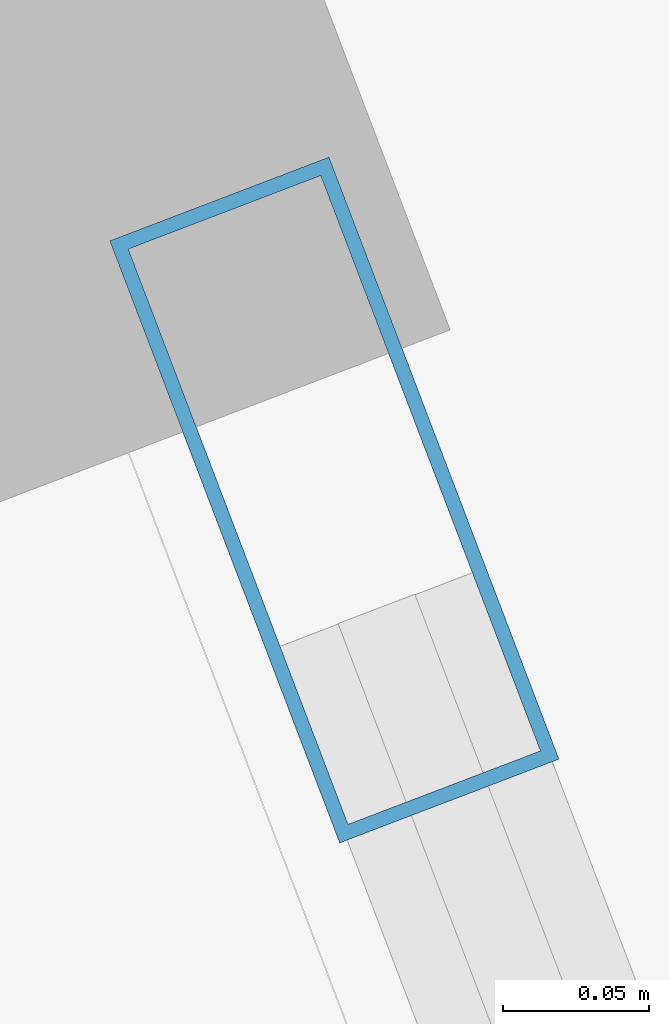
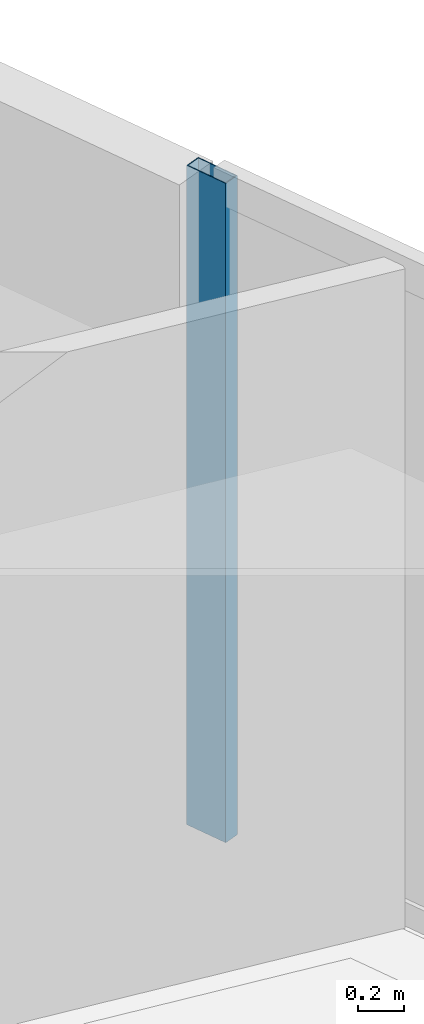
# One storey, part 13 of 23: 1 member, 1 element without a shape of its own.
"""IFC4 building model written with IfcOpenShell, lengths in metres."""

from ifc_helpers import new_model, si_unit, direction, frame, origin, origin_2d, place, context, subcontext, project, spatial, hollow_rectangle, extrude, source, transform, mapped, material, layer, layer_set, material_profile, profile_set, type_object, type_shapes, element, aggregate, save


model = new_model("IFC4")

# Units and contexts
model_context = context("Model", 3, precision=1e-05, world=origin(), true_north=direction((0.0, 1.0)))
body_context = subcontext(model_context, "Body", "Model", "MODEL_VIEW")
ifc_project = project(units=[si_unit("LENGTHUNIT", "METRE"), si_unit("AREAUNIT", "SQUARE_METRE"), si_unit("VOLUMEUNIT", "CUBIC_METRE"), si_unit("PLANEANGLEUNIT", "RADIAN"), si_unit("MASSUNIT", "GRAM", prefix="KILO")], contexts=[model_context])

# Site, building, storey
site_placement = place(None, origin())
site = spatial("IfcSite", under=ifc_project, at=site_placement, CompositionType="ELEMENT")
building_placement = place(site_placement, origin())
building = spatial("IfcBuilding", under=site, at=building_placement, Name="Talar Marvaseh", CompositionType="ELEMENT")
storey_placement = place(building_placement, frame((0.0, 0.0, 27.800048828125)))
storey = spatial("IfcBuildingStorey", under=building, at=storey_placement, Name="L06", CompositionType="ELEMENT", Elevation=27.800048828125)

# Curtain wall, member
ifc_material = material(Name="Architectural Aluminium", Category="aluminium")
ifc_layer = layer(ifc_material, 0.219970703125)
ifc_layer_set = layer_set([ifc_layer], Name="Architectural Aluminium")
curtain_wall_type = type_object("IfcCurtainWallType", Name="Unitised Low-E Museum Curtain Wall Z1", PredefinedType="NOTDEFINED", material=ifc_layer_set)
curtain_wall_placement = place(storey_placement, origin())
curtain_wall = element("IfcCurtainWall", 1, at=curtain_wall_placement, inside=storey, type_object=curtain_wall_type, Name="L06 Unitised Low-E Museum Curtain Wall Z1", PredefinedType="NOTDEFINED")
ifc_material_profile = material_profile(ifc_material, hollow_rectangle(XDim=0.080078125, YDim=0.219970703125, WallThickness=0.0048828125, at=origin_2d()), Name="RHS220x80x5")
ifc_profile_set = profile_set([ifc_material_profile], Name="Architectural Aluminium")
member_type = type_object("IfcMemberType", Name="Unitised Curtain Wall Heavy Mullion RHS220x80x5", PredefinedType="MULLION", material=ifc_profile_set)
shared_shape = source(origin(), body_context, "Body", "SweptSolid", [
    extrude(hollow_rectangle(XDim=0.080078125, YDim=0.219970703125, WallThickness=0.0048828125, at=origin_2d()), origin(), (0.0, 0.0, 1.0), 3.52001953125),
])
type_shapes(member_type, [shared_shape])
member_placement = place(storey_placement, frame((50.116455078125, 25.609130859375, 0.0), z_axis=(0.0, 0.0, 1.0), x_axis=(0.934178865604, 0.3568050547, 0.0)))
member = element("IfcMember", 2, at=member_placement, type_object=member_type, Name="CW-Z1 mullion 1", PredefinedType="MULLION", context=body_context, shape_type="MappedRepresentation", body=[
    mapped(shared_shape, transform((0.0, 0.0, 0.0), x_axis=(1.0, 0.0, 0.0), y_axis=(0.0, 1.0, 0.0), z_axis=(0.0, 0.0, 1.0), scale=1.0)),
])
aggregate(curtain_wall, [member])

save(model, "model.ifc")
